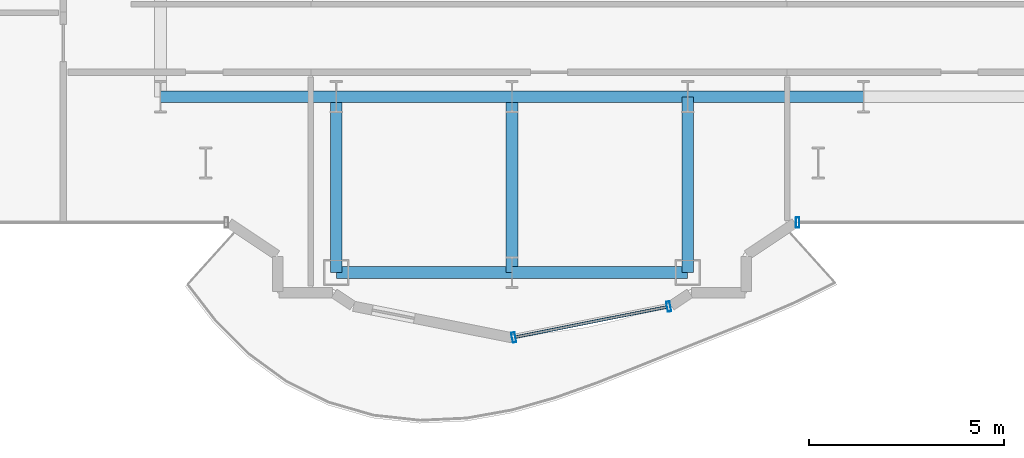
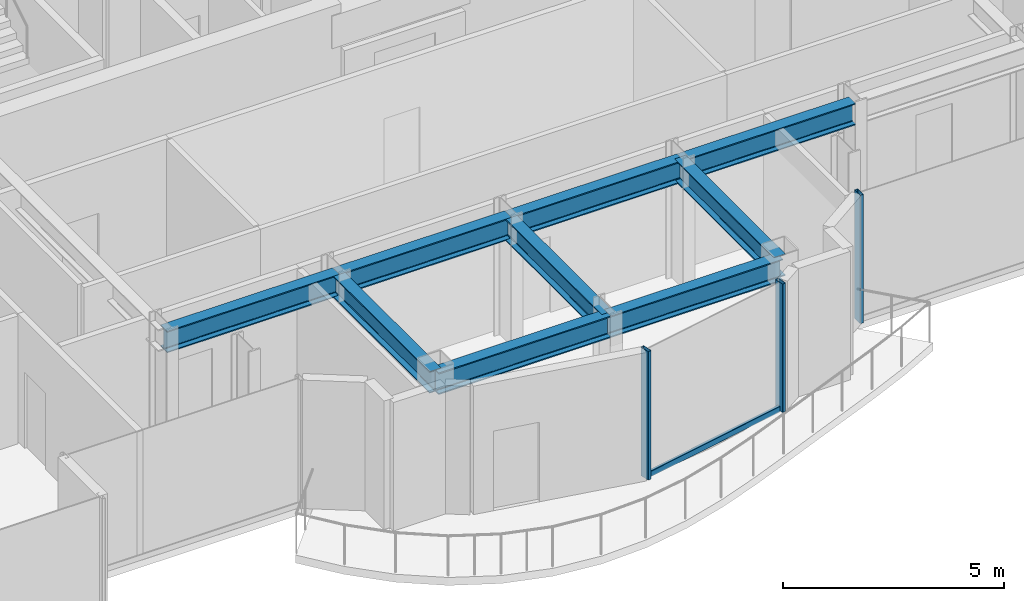
# One storey, part 3 of 22: 9 beams, 4 members, 2 elements without a shape of their own.
"""IFC4 building model written with IfcOpenShell, lengths in metres."""

from ifc_helpers import new_model, si_unit, direction, frame, origin, origin_2d, place, context, subcontext, project, spatial, hollow_rectangle, i_section, extrude, source, transform, mapped, material, layer, layer_set, material_profile, profile_set, type_object, element, aggregate, save


model = new_model("IFC4")

# Units and contexts
model_context = context("Model", 3, precision=1e-05, world=origin(), true_north=direction((0.0, 1.0)))
body_context = subcontext(model_context, "Body", "Model", "MODEL_VIEW")
ifc_project = project(units=[si_unit("LENGTHUNIT", "METRE"), si_unit("AREAUNIT", "SQUARE_METRE"), si_unit("VOLUMEUNIT", "CUBIC_METRE"), si_unit("PLANEANGLEUNIT", "RADIAN"), si_unit("MASSUNIT", "GRAM", prefix="KILO")], contexts=[model_context])

# Site, building, storey
site_placement = place(None, origin())
site = spatial("IfcSite", under=ifc_project, at=site_placement, CompositionType="ELEMENT")
building_placement = place(site_placement, origin())
building = spatial("IfcBuilding", under=site, at=building_placement, Name="Nefas-Gora Pilgrimage Tower", CompositionType="ELEMENT")
storey_placement = place(building_placement, frame((0.0, 0.0, 240.800048828125)))
storey = spatial("IfcBuildingStorey", under=building, at=storey_placement, Name="L60", CompositionType="ELEMENT", Elevation=240.800048828125)

# Beams
ifc_material_1 = material(Name="Steel S355", Category="steel")
ifc_material_profile_1 = material_profile(ifc_material_1, i_section(OverallWidth=0.300048828125, OverallDepth=0.60009765625, WebThickness=0.015380859375, FlangeThickness=0.030029296875, FilletRadius=0.027099609375, at=origin_2d()), Name="HEB 600")
ifc_profile_set_1 = profile_set([ifc_material_profile_1], Name="Steel S355")
beam_type = type_object("IfcBeamType", Name="BM-GIR-HEB600", PredefinedType="BEAM", material=ifc_profile_set_1)
shared_shape_1 = source(origin(), body_context, "Body", "SweptSolid", [
    extrude(i_section(OverallWidth=0.300048828125, OverallDepth=0.60009765625, WebThickness=0.015380859375, FlangeThickness=0.030029296875, FilletRadius=0.027099609375, at=origin_2d()), origin(), (0.0, 0.0, 1.0), 4.5),
])
for number, where, z_axis, x_axis, name in (
    (1, (-11.25, -18.0, 3.25), (1.0, 0.0, 0.0), (0.0, 1.0, 0.0), "L60 G-04 beam"),
    (2, (-6.75, -22.5, 3.25), (0.0, 1.0, 0.0), (-1.0, 0.0, 0.0), "L60 G-04 beam"),
    (3, (-6.75, -22.5, 3.25), (1.0, 0.0, 0.0), (0.0, 1.0, 0.0), "L60 G-04 beam"),
    (4, (-6.75, -18.0, 3.25), (1.0, 0.0, 0.0), (0.0, 1.0, 0.0), "L60 G-04 beam"),
    (5, (-2.25, -22.5, 3.25), (0.0, 1.0, 0.0), (-1.0, 0.0, 0.0), "L60 G-04 beam"),
    (6, (-2.25, -22.5, 3.25), (1.0, 0.0, 0.0), (0.0, 1.0, 0.0), "L60 G-04 beam"),
    (7, (-2.25, -18.0, 3.25), (1.0, 0.0, 0.0), (0.0, 1.0, 0.0), "L60 G-04 beam"),
    (8, (2.25, -22.5, 3.25), (0.0, 1.0, 0.0), (-1.0, 0.0, 0.0), "L60 G-04 beam"),
    (9, (2.25, -18.0, 3.25), (1.0, 0.0, 0.0), (0.0, 1.0, 0.0), "L60 G-04 beam"),
):
    element("IfcBeam", number, at=place(storey_placement, frame(where, z_axis=z_axis, x_axis=x_axis)), inside=storey, type_object=beam_type, Name=name, PredefinedType="BEAM", context=body_context, shape_type="MappedRepresentation", body=[
        mapped(shared_shape_1, transform((0.0, 0.0, 0.0), x_axis=(1.0, 0.0, 0.0), y_axis=(0.0, 1.0, 0.0), z_axis=(0.0, 0.0, 1.0), scale=1.0)),
    ])

# Curtain wall, member
ifc_material_2 = material(Name="Dark ceramic-fritted solar-control aluminium-glass curtain wall", Category="aluminium")
ifc_layer = layer(ifc_material_2, 0.219970703125)
ifc_layer_set = layer_set([ifc_layer], Name="Dark ceramic-fritted solar-control aluminium-glass curtain wall")
curtain_wall_type = type_object("IfcCurtainWallType", Name="CW-SYS-5", PredefinedType="NOTDEFINED", material=ifc_layer_set)
curtain_wall_1_placement = place(storey_placement, origin())
curtain_wall_1 = element("IfcCurtainWall", 10, at=curtain_wall_1_placement, inside=storey, type_object=curtain_wall_type, Name="L60 Unitised Curtain Wall CW5", PredefinedType="NOTDEFINED")
ifc_material_3 = material(Name="Anodised architectural aluminium", Category="aluminium")
ifc_material_profile_2 = material_profile(ifc_material_3, hollow_rectangle(XDim=0.090087890625, YDim=0.260009765625, WallThickness=0.006103515625, InnerFilletRadius=0.006103515625, OuterFilletRadius=0.011962890625, at=origin_2d()), Name="ALU MULLION 90x260")
ifc_profile_set_2 = profile_set([ifc_material_profile_2], Name="Anodised architectural aluminium")
member_type_1 = type_object("IfcMemberType", Name="CWM-MUL-5", PredefinedType="MULLION", material=ifc_profile_set_2)
shared_shape_2 = source(origin(), body_context, "Body", "SweptSolid", [
    extrude(hollow_rectangle(XDim=0.090087890625, YDim=0.260009765625, WallThickness=0.006103515625, InnerFilletRadius=0.006103515625, OuterFilletRadius=0.011962890625, at=origin_2d()), origin(), (0.0, 0.0, 1.0), 3.550048828125),
])
member_1_placement = place(storey_placement, frame((5.06298828125, -21.219970703125, 0.0), z_axis=(0.0, 0.0, 1.0), x_axis=(1.0, 0.0, 0.0)))
member_1 = element("IfcMember", 11, at=member_1_placement, type_object=member_type_1, Name="CW5 Mullion 1", PredefinedType="MULLION", context=body_context, shape_type="MappedRepresentation", body=[
    mapped(shared_shape_2, transform((0.0, 0.0, 0.0), x_axis=(1.0, 0.0, 0.0), y_axis=(0.0, 1.0, 0.0), z_axis=(0.0, 0.0, 1.0), scale=1.0)),
])
aggregate(curtain_wall_1, [member_1])

# Curtain wall, members
curtain_wall_2_placement = place(storey_placement, origin())
curtain_wall_2 = element("IfcCurtainWall", 12, at=curtain_wall_2_placement, inside=storey, type_object=curtain_wall_type, Name="L60 Unitised Curtain Wall CW5", PredefinedType="NOTDEFINED")
member_2_placement = place(storey_placement, frame((-2.205810546875, -24.16357421875, 0.0), z_axis=(0.0, 0.0, 1.0), x_axis=(0.980782896852, 0.195102304554, 0.0)))
member_2 = element("IfcMember", 13, at=member_2_placement, type_object=member_type_1, Name="CW5 Mullion 1", PredefinedType="MULLION", context=body_context, shape_type="MappedRepresentation", body=[
    mapped(shared_shape_2, transform((0.0, 0.0, 0.0), x_axis=(1.0, 0.0, 0.0), y_axis=(0.0, 1.0, 0.0), z_axis=(0.0, 0.0, 1.0), scale=1.0)),
])
member_3_placement = place(storey_placement, frame((1.76318359375, -23.3740234375, 0.0), z_axis=(0.0, 0.0, 1.0), x_axis=(0.980782896852, 0.195102304554, 0.0)))
member_3 = element("IfcMember", 14, at=member_3_placement, type_object=member_type_1, Name="CW5 Mullion 2", PredefinedType="MULLION", context=body_context, shape_type="MappedRepresentation", body=[
    mapped(shared_shape_2, transform((0.0, 0.0, 0.0), x_axis=(1.0, 0.0, 0.0), y_axis=(0.0, 1.0, 0.0), z_axis=(0.0, 0.0, 1.0), scale=1.0)),
])
ifc_material_profile_3 = material_profile(ifc_material_3, hollow_rectangle(XDim=0.080078125, YDim=0.159912109375, WallThickness=0.00439453125, InnerFilletRadius=0.00439453125, OuterFilletRadius=0.009033203125, at=origin_2d()), Name="ALU TRANSOM 80x160")
ifc_profile_set_3 = profile_set([ifc_material_profile_3], Name="Anodised architectural aluminium")
member_type_2 = type_object("IfcMemberType", Name="CWM-TRN-5", PredefinedType="USERDEFINED", material=ifc_profile_set_3)
shared_shape_3 = source(origin(), body_context, "Body", "SweptSolid", [
    extrude(hollow_rectangle(XDim=0.080078125, YDim=0.159912109375, WallThickness=0.00439453125, InnerFilletRadius=0.00439453125, OuterFilletRadius=0.009033203125, at=origin_2d()), origin(), (0.0, 0.0, 1.0), 3.95654296875),
])
member_4_placement = place(storey_placement, frame((-2.16162109375, -24.15478515625, 0.050048828125), z_axis=(0.980781880918, 0.195107411605, 0.0), x_axis=(-0.195107411605, 0.980781880918, 0.0)))
member_4 = element("IfcMember", 15, at=member_4_placement, type_object=member_type_2, Name="CW5 Spandrel Transom", ObjectType="TRANSOM", PredefinedType="USERDEFINED", context=body_context, shape_type="MappedRepresentation", body=[
    mapped(shared_shape_3, transform((0.0, 0.0, 0.0), x_axis=(1.0, 0.0, 0.0), y_axis=(0.0, 1.0, 0.0), z_axis=(0.0, 0.0, 1.0), scale=1.0)),
])
aggregate(curtain_wall_2, [member_2, member_3, member_4])

save(model, "model.ifc")
